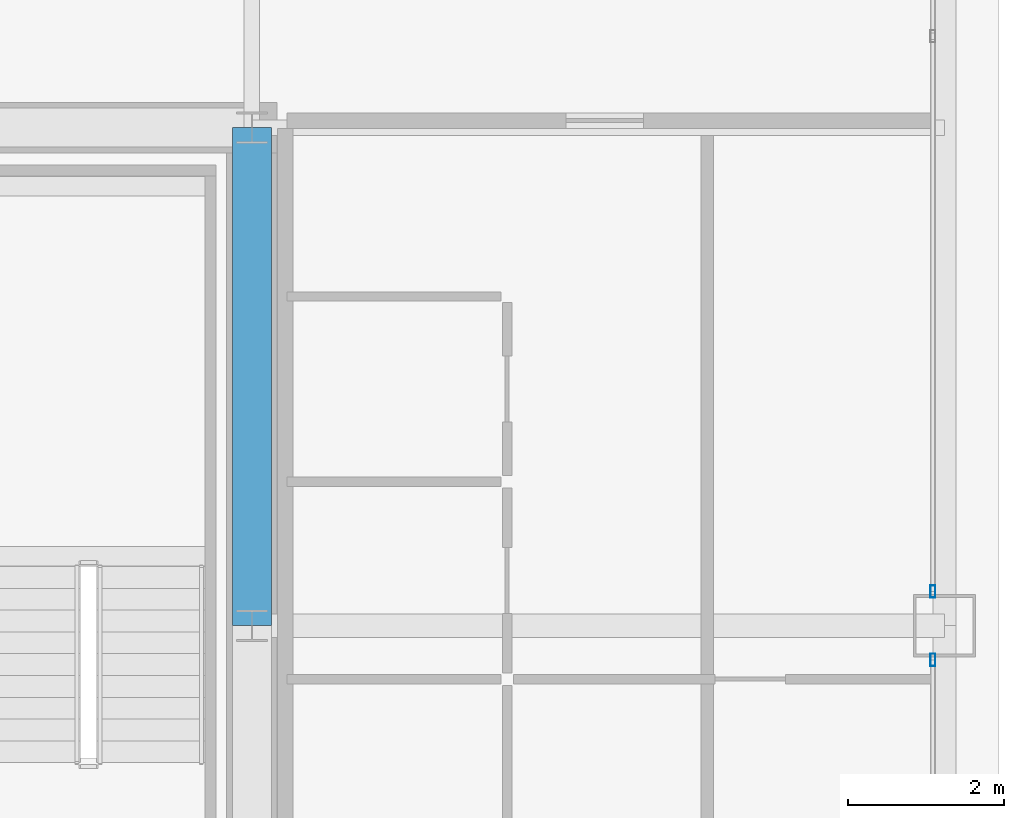
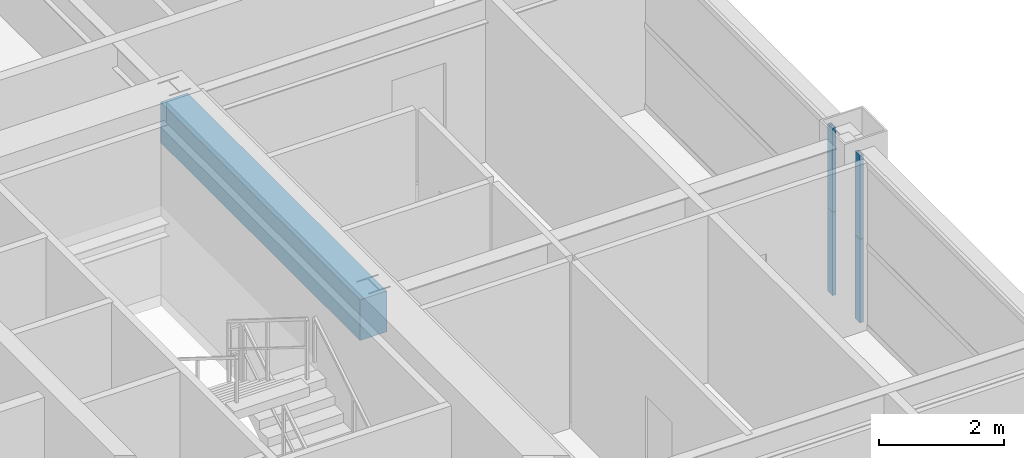
# One storey, part 20 of 38: 4 members, 1 beam, 2 elements without a shape of their own.
"""IFC4 building model written with IfcOpenShell, lengths in metres."""

from ifc_helpers import new_model, si_unit, direction, frame, origin, origin_2d, place, context, subcontext, project, spatial, rectangle, hollow_rectangle, extrude, source, transform, mapped, material, layer, layer_set, material_profile, profile_set, type_object, element, aggregate, save


model = new_model("IFC4")

# Units and contexts
model_context = context("Model", 3, precision=1e-05, world=origin(), true_north=direction((0.0, 1.0)))
body_context = subcontext(model_context, "Body", "Model", "MODEL_VIEW")
ifc_project = project(units=[si_unit("LENGTHUNIT", "METRE"), si_unit("AREAUNIT", "SQUARE_METRE"), si_unit("VOLUMEUNIT", "CUBIC_METRE"), si_unit("PLANEANGLEUNIT", "RADIAN"), si_unit("MASSUNIT", "GRAM", prefix="KILO"), si_unit("THERMODYNAMICTEMPERATUREUNIT", "KELVIN"), si_unit("POWERUNIT", "WATT")], contexts=[model_context])

# Site, building, storey
site_placement = place(None, origin())
site = spatial("IfcSite", under=ifc_project, at=site_placement, CompositionType="ELEMENT")
building_placement = place(site_placement, origin())
building = spatial("IfcBuilding", under=site, at=building_placement, Name="Yuzanri Waterfront Tower", CompositionType="ELEMENT")
storey_placement = place(building_placement, frame((0.0, 0.0, 195.0)))
storey = spatial("IfcBuildingStorey", under=building, at=storey_placement, Name="L51", CompositionType="ELEMENT", Elevation=195.0)

# Beam
ifc_material_1 = material(Name="Concrete C50", Category="concrete")
ifc_material_profile_1 = material_profile(ifc_material_1, rectangle(XDim=0.5, YDim=0.800048828125, at=origin_2d()), Name="RC 500x800")
ifc_profile_set_1 = profile_set([ifc_material_profile_1], Name="Concrete C50")
beam_type = type_object("IfcBeamType", Name="Core Coupling Lintel Concrete C50 500x800", PredefinedType="LINTEL", material=ifc_profile_set_1)
shared_shape_1 = source(origin(), body_context, "Body", "SweptSolid", [
    extrude(rectangle(XDim=0.5, YDim=0.800048828125, at=origin_2d()), origin(), (0.0, 0.0, 1.0), 6.39990234375),
])
beam_placement = place(storey_placement, frame((50.199951171875, 25.800048828125, 2.8798828125), z_axis=(0.0, 1.0, 0.0), x_axis=(-1.0, 0.0, 0.0)))
element("IfcBeam", 1, at=beam_placement, inside=storey, type_object=beam_type, Name="L51 Core Tie Beam CE2", PredefinedType="LINTEL", context=body_context, shape_type="MappedRepresentation", body=[
    mapped(shared_shape_1, transform((0.0, 0.0, 0.0), scale=1.0)),
])

# Curtain wall, members
ifc_material_2 = material(Name="Anodized Architectural Bronze", Category="metal")
ifc_layer = layer(ifc_material_2, 0.159912109375)
ifc_layer_set = layer_set([ifc_layer], Name="Anodized Architectural Bronze")
curtain_wall_type = type_object("IfcCurtainWallType", Name="Anodized Bronze Mid-Rise Residential Acoustic Unitized Curtain Wall 7200", PredefinedType="NOTDEFINED", material=ifc_layer_set)
curtain_wall_1_placement = place(storey_placement, origin())
curtain_wall_1 = element("IfcCurtainWall", 2, at=curtain_wall_1_placement, inside=storey, type_object=curtain_wall_type, Name="L51 Curtain Wall CW-L51-EL", PredefinedType="NOTDEFINED")
ifc_material_3 = material(Name="Anodized Architectural Bronze", Category="metal")
ifc_material_profile_2 = material_profile(ifc_material_3, hollow_rectangle(XDim=0.06494140625, YDim=0.159912109375, WallThickness=0.00341796875, at=origin_2d()), Name="CWM 65x160")
ifc_profile_set_2 = profile_set([ifc_material_profile_2], Name="Anodized Architectural Bronze")
member_type = type_object("IfcMemberType", Name="Anodized Bronze Upper-Zone Curtain-Wall Mullion 65x160", PredefinedType="MULLION", material=ifc_profile_set_2)
shared_shape_2 = source(origin(), body_context, "Body", "SweptSolid", [
    extrude(hollow_rectangle(XDim=0.06494140625, YDim=0.159912109375, WallThickness=0.00341796875, at=origin_2d()), origin(), (0.0, 0.0, 1.0), 1.637939453125),
])
member_1_placement = place(storey_placement, frame((58.949951171875, 25.360107421875, 0.0), z_axis=(0.0, 0.0, 1.0), x_axis=(1.0, 0.0, 0.0)))
member_1 = element("IfcMember", 3, at=member_1_placement, type_object=member_type, Name="CW-L51-EL Lower Mullion 02", PredefinedType="MULLION", context=body_context, shape_type="MappedRepresentation", body=[
    mapped(shared_shape_2, transform((0.0, 0.0, 0.0), scale=1.0)),
])
member_2_placement = place(storey_placement, frame((58.949951171875, 25.360107421875, 1.64208984375), z_axis=(0.0, 0.0, 1.0), x_axis=(1.0, 0.0, 0.0)))
member_2 = element("IfcMember", 4, at=member_2_placement, type_object=member_type, Name="CW-L51-EL Upper Mullion 02", PredefinedType="MULLION", context=body_context, shape_type="MappedRepresentation", body=[
    mapped(shared_shape_2, transform((0.0, 0.0, 0.0), scale=1.0)),
])
aggregate(curtain_wall_1, [member_1, member_2])

curtain_wall_2_placement = place(storey_placement, origin())
curtain_wall_2 = element("IfcCurtainWall", 5, at=curtain_wall_2_placement, inside=storey, type_object=curtain_wall_type, Name="L51 Curtain Wall CW-L51-ER", PredefinedType="NOTDEFINED")
member_3_placement = place(storey_placement, frame((58.949951171875, 26.239990234375, 0.0), z_axis=(0.0, 0.0, 1.0), x_axis=(1.0, 0.0, 0.0)))
member_3 = element("IfcMember", 6, at=member_3_placement, type_object=member_type, Name="CW-L51-ER Lower Mullion 00", PredefinedType="MULLION", context=body_context, shape_type="MappedRepresentation", body=[
    mapped(shared_shape_2, transform((0.0, 0.0, 0.0), scale=1.0)),
])
member_4_placement = place(storey_placement, frame((58.949951171875, 26.239990234375, 1.64208984375), z_axis=(0.0, 0.0, 1.0), x_axis=(1.0, 0.0, 0.0)))
member_4 = element("IfcMember", 7, at=member_4_placement, type_object=member_type, Name="CW-L51-ER Upper Mullion 00", PredefinedType="MULLION", context=body_context, shape_type="MappedRepresentation", body=[
    mapped(shared_shape_2, transform((0.0, 0.0, 0.0), scale=1.0)),
])
aggregate(curtain_wall_2, [member_3, member_4])

save(model, "model.ifc")
